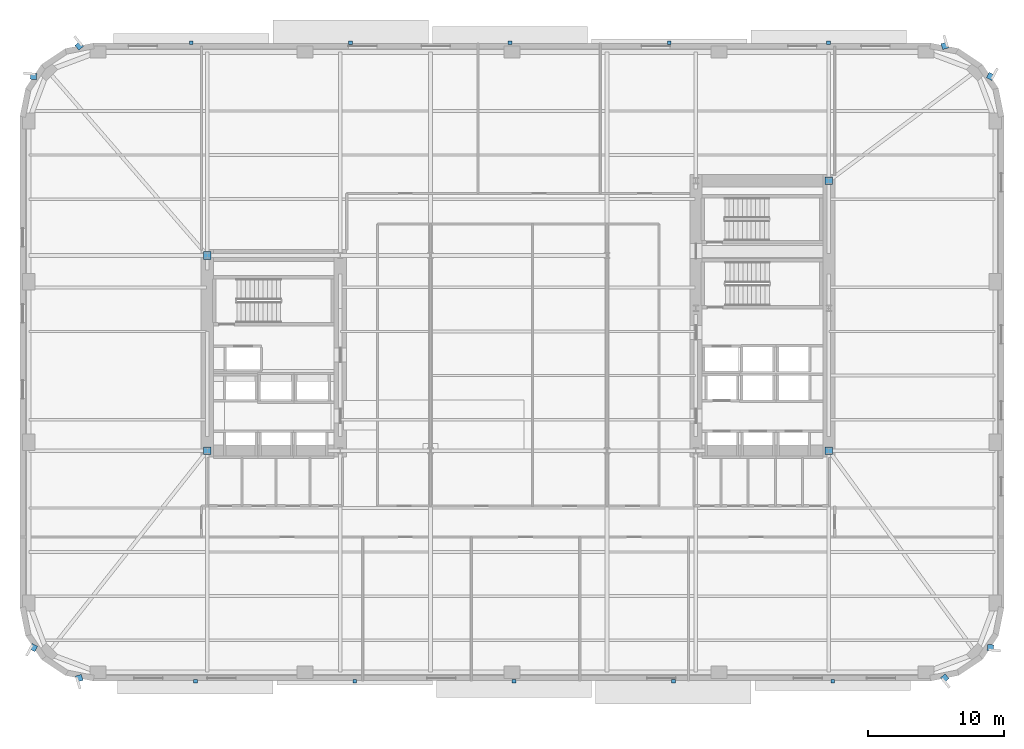
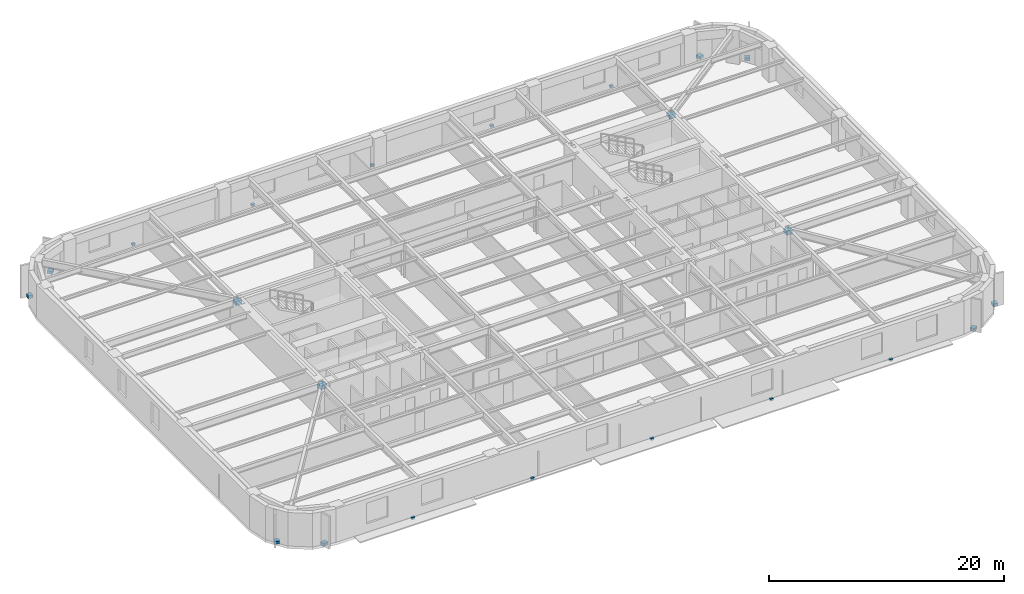
# One storey, part 8 of 15: 22 discrete accessories.
"""IFC4 building model written with IfcOpenShell, lengths in metres."""

from ifc_helpers import new_model, si_unit, direction, frame, origin, origin_2d, place, context, subcontext, project, spatial, rectangle, extrude, material, type_object, element, save


model = new_model("IFC4")

# Units and contexts
model_context = context("Model", 3, precision=1e-05, world=origin(), true_north=direction((0.0, 1.0)))
body_context = subcontext(model_context, "Body", "Model", "MODEL_VIEW")
ifc_project = project(units=[si_unit("LENGTHUNIT", "METRE"), si_unit("AREAUNIT", "SQUARE_METRE"), si_unit("VOLUMEUNIT", "CUBIC_METRE"), si_unit("PLANEANGLEUNIT", "RADIAN"), si_unit("MASSUNIT", "GRAM", prefix="KILO")], contexts=[model_context])

# Site, building, storey
site_placement = place(None, origin())
site = spatial("IfcSite", under=ifc_project, at=site_placement, CompositionType="ELEMENT")
building_placement = place(site_placement, origin())
building = spatial("IfcBuilding", under=site, at=building_placement, Name="Kolvaren Arena Tower", CompositionType="ELEMENT")
storey_placement = place(building_placement, frame((0.0, 0.0, 49.5)))
storey = spatial("IfcBuildingStorey", under=building, at=storey_placement, Name="L09", CompositionType="ELEMENT", Elevation=49.5)

# Discrete accessories
ifc_material_1 = material(Name="Stainless steel facade support bracket", Category="steel")
discrete_accessory_type_1 = type_object("IfcDiscreteAccessoryType", Name="ACC-BRKT-1", PredefinedType="BRACKET", material=ifc_material_1)
for number, where, z_axis, x_axis, name in (
    (1, (68.88330078125, 2.70556640625, 0.02001953125), (0.0, 0.0, 1.0), (0.632722898811, -0.774378288254, 0.0), "Corner Fin Anchor Bracket (L09)"),
    (2, (72.253662109375, 4.95751953125, 0.02001953125), (0.0, 0.0, 1.0), (0.994971840066, -0.100155067151, 0.0), "Corner Fin Anchor Bracket (L09)"),
    (3, (72.253662109375, 47.04248046875, 0.02001953125), (0.0, 0.0, 1.0), (0.473348878368, 0.880875041846, 0.0), "Corner Fin Anchor Bracket (L09)"),
    (4, (68.88330078125, 49.29443359375, 0.02001953125), (0.0, 0.0, 1.0), (-0.288174541455, 0.957577899524, 0.0), "Corner Fin Anchor Bracket (L09)"),
):
    element("IfcDiscreteAccessory", number, at=place(storey_placement, frame(where, z_axis=z_axis, x_axis=x_axis)), inside=storey, type_object=discrete_accessory_type_1, Name=name, PredefinedType="BRACKET", context=body_context, shape_type="SweptSolid", body=[
        extrude(rectangle(XDim=0.449951171875, YDim=0.449951171875, at=origin_2d()), origin(), (0.0, 0.0, 1.0), 0.300048828125),
    ])
for number, where, z_axis, x_axis, name in (
    (5, (13.3701171875, 49.52001953125, -0.18017578125), (0.0, 0.0, 1.0), (1.0, 0.0, 0.0), "Sunshade Support Bracket (L09)"),
    (6, (25.110107421875, 49.52001953125, -0.18017578125), (0.0, 0.0, 1.0), (1.0, 0.0, 0.0), "Sunshade Support Bracket (L09)"),
    (7, (36.85009765625, 49.52001953125, -0.18017578125), (0.0, 0.0, 1.0), (1.0, 0.0, 0.0), "Sunshade Support Bracket (L09)"),
    (8, (48.590087890625, 49.52001953125, -0.18017578125), (0.0, 0.0, 1.0), (1.0, 0.0, 0.0), "Sunshade Support Bracket (L09)"),
    (9, (60.330078125, 49.52001953125, -0.18017578125), (0.0, 0.0, 1.0), (1.0, 0.0, 0.0), "Sunshade Support Bracket (L09)"),
):
    element("IfcDiscreteAccessory", number, at=place(storey_placement, frame(where, z_axis=z_axis, x_axis=x_axis)), inside=storey, type_object=discrete_accessory_type_1, Name=name, PredefinedType="BRACKET", context=body_context, shape_type="SweptSolid", body=[
        extrude(rectangle(XDim=0.280029296875, YDim=0.239990234375, at=origin_2d()), origin(), (0.0, 0.0, 1.0), 0.239990234375),
    ])
for number, where, z_axis, x_axis, name in (
    (10, (5.11669921875, 49.29443359375, 0.02001953125), (0.0, 0.0, 1.0), (-0.632722898811, 0.774378288254, 0.0), "Corner Fin Anchor Bracket (L09)"),
    (11, (1.746337890625, 47.04248046875, 0.02001953125), (0.0, 0.0, 1.0), (-0.994971840066, 0.100155067151, 0.0), "Corner Fin Anchor Bracket (L09)"),
    (12, (1.746337890625, 4.95751953125, 0.02001953125), (0.0, 0.0, 1.0), (-0.473348878368, -0.880875041846, 0.0), "Corner Fin Anchor Bracket (L09)"),
    (13, (5.11669921875, 2.70556640625, 0.02001953125), (0.0, 0.0, 1.0), (0.288174541455, -0.957577899524, 0.0), "Corner Fin Anchor Bracket (L09)"),
):
    element("IfcDiscreteAccessory", number, at=place(storey_placement, frame(where, z_axis=z_axis, x_axis=x_axis)), inside=storey, type_object=discrete_accessory_type_1, Name=name, PredefinedType="BRACKET", context=body_context, shape_type="SweptSolid", body=[
        extrude(rectangle(XDim=0.449951171875, YDim=0.449951171875, at=origin_2d()), origin(), (0.0, 0.0, 1.0), 0.300048828125),
    ])
for number, where, z_axis, x_axis, name in (
    (14, (60.6298828125, 2.47998046875, -0.18017578125), (0.0, 0.0, 1.0), (-1.0, 0.0, 0.0), "Sunshade Support Bracket (L09)"),
    (15, (48.889892578125, 2.47998046875, -0.18017578125), (0.0, 0.0, 1.0), (-1.0, 0.0, 0.0), "Sunshade Support Bracket (L09)"),
    (16, (37.14990234375, 2.47998046875, -0.18017578125), (0.0, 0.0, 1.0), (-1.0, 0.0, 0.0), "Sunshade Support Bracket (L09)"),
    (17, (25.409912109375, 2.47998046875, -0.18017578125), (0.0, 0.0, 1.0), (-1.0, 0.0, 0.0), "Sunshade Support Bracket (L09)"),
    (18, (13.669921875, 2.47998046875, -0.18017578125), (0.0, 0.0, 1.0), (-1.0, 0.0, 0.0), "Sunshade Support Bracket (L09)"),
):
    element("IfcDiscreteAccessory", number, at=place(storey_placement, frame(where, z_axis=z_axis, x_axis=x_axis)), inside=storey, type_object=discrete_accessory_type_1, Name=name, PredefinedType="BRACKET", context=body_context, shape_type="SweptSolid", body=[
        extrude(rectangle(XDim=0.280029296875, YDim=0.239990234375, at=origin_2d()), origin(), (0.0, 0.0, 1.0), 0.239990234375),
    ])
ifc_material_2 = material(Name="Steel CSA G40.21 350W bolted gusset connection", Category="steel")
discrete_accessory_type_2 = type_object("IfcDiscreteAccessoryType", Name="ACC-CONN-1", PredefinedType="BRACKET", material=ifc_material_2)
for number, where, z_axis, x_axis, name in (
    (19, (60.35009765625, 19.449951171875, 2.87353515625), (0.0, 0.0, 1.0), (1.0, 0.0, 0.0), "Core Wall Cast-In Embed Plate EP1 (L09)"),
    (20, (60.35009765625, 39.35009765625, 2.87353515625), (0.0, 0.0, 1.0), (1.0, 0.0, 0.0), "Core Wall Cast-In Embed Plate EP1 (L09)"),
    (21, (14.550048828125, 33.85009765625, 2.87353515625), (0.0, 0.0, 1.0), (1.0, 0.0, 0.0), "Core Wall Cast-In Embed Plate EP1 (L09)"),
    (22, (14.550048828125, 19.449951171875, 2.87353515625), (0.0, 0.0, 1.0), (1.0, 0.0, 0.0), "Core Wall Cast-In Embed Plate EP1 (L09)"),
):
    element("IfcDiscreteAccessory", number, at=place(storey_placement, frame(where, z_axis=z_axis, x_axis=x_axis)), inside=storey, type_object=discrete_accessory_type_2, Name=name, PredefinedType="BRACKET", context=body_context, shape_type="SweptSolid", body=[
        extrude(rectangle(XDim=0.56005859375, YDim=0.56005859375, at=origin_2d()), origin(), (0.0, 0.0, 1.0), 0.43994140625),
    ])

save(model, "model.ifc")
